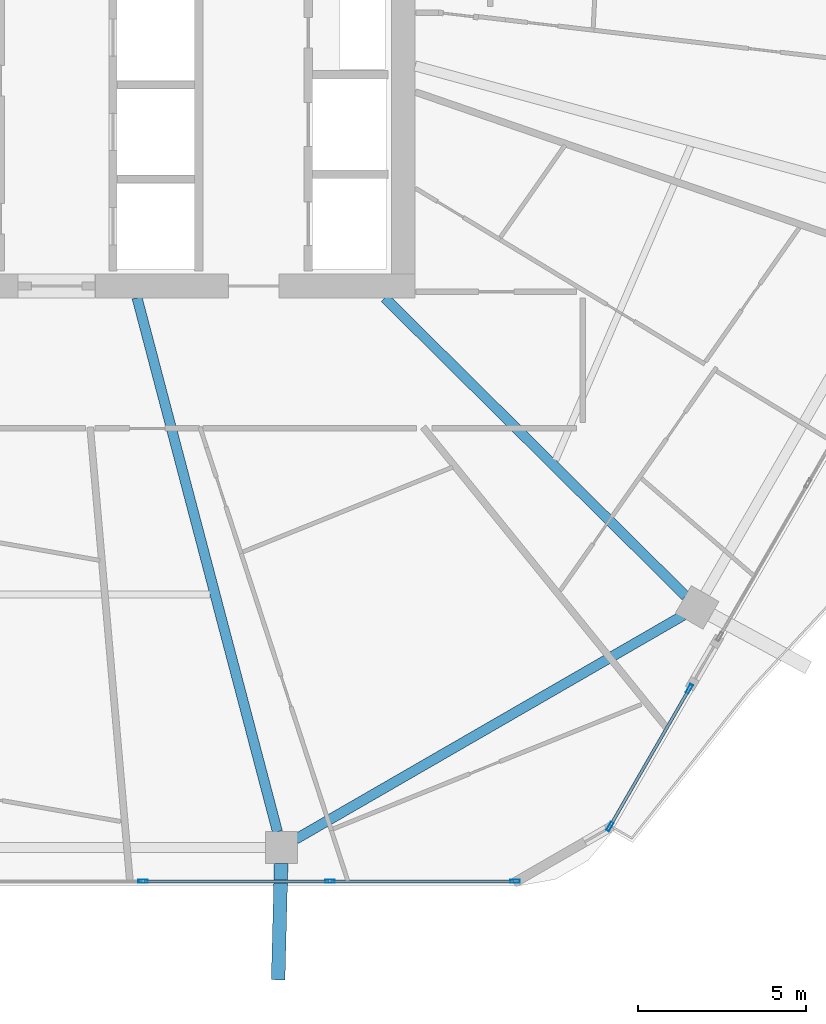
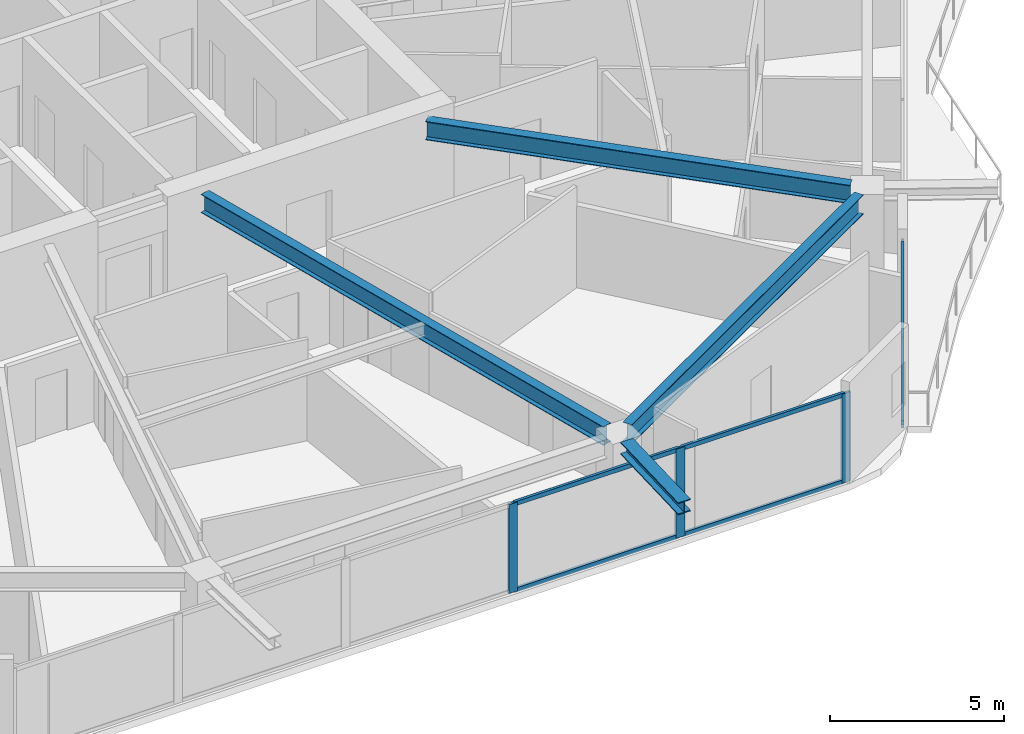
# One storey, part 7 of 26: 11 members, 4 beams, 2 elements without a shape of their own.
"""IFC4 building model written with IfcOpenShell, lengths in metres."""

from ifc_helpers import new_model, si_unit, direction, frame, origin, origin_2d, place, context, subcontext, project, spatial, hollow_rectangle, i_section, extrude, material, material_profile, profile_set, type_object, element, aggregate, save


model = new_model("IFC4")

# Units and contexts
model_context = context("Model", 3, precision=1e-05, world=origin(), true_north=direction((0.0, 1.0)))
body_context = subcontext(model_context, "Body", "Model", "MODEL_VIEW")
ifc_project = project(units=[si_unit("LENGTHUNIT", "METRE"), si_unit("AREAUNIT", "SQUARE_METRE"), si_unit("VOLUMEUNIT", "CUBIC_METRE"), si_unit("PLANEANGLEUNIT", "RADIAN"), si_unit("MASSUNIT", "GRAM", prefix="KILO")], contexts=[model_context])

# Site, building, storey
site_placement = place(None, origin())
site = spatial("IfcSite", under=ifc_project, at=site_placement, CompositionType="ELEMENT")
building_placement = place(site_placement, origin())
building = spatial("IfcBuilding", under=site, at=building_placement, Name="Zuhravey Tower", CompositionType="ELEMENT")
storey_placement = place(building_placement, frame((0.0, 0.0, 211.199951171875)))
storey = spatial("IfcBuildingStorey", under=building, at=storey_placement, Name="L53", CompositionType="ELEMENT", Elevation=211.199951171875)

# Curtain wall, members
ifc_material_1 = material(Name="Thermally broken anodised aluminium", Category="aluminium")
curtain_wall_type = type_object("IfcCurtainWallType", Name="Zone 1-2 Residential Curtain Wall CW3", PredefinedType="NOTDEFINED", material=ifc_material_1)
curtain_wall_1_placement = place(storey_placement, origin())
curtain_wall_1 = element("IfcCurtainWall", 1, at=curtain_wall_1_placement, inside=storey, type_object=curtain_wall_type, Name="L53 CW3 CW-L53-F6-2", PredefinedType="NOTDEFINED")
ifc_material_2 = material(Name="Anodised aluminium", Category="aluminium")
ifc_material_profile_1 = material_profile(ifc_material_2, hollow_rectangle(XDim=0.090087890625, YDim=0.284912109375, WallThickness=0.0048828125, at=origin_2d()), Name="ALU-RHS-90x285x5")
ifc_profile_set_1 = profile_set([ifc_material_profile_1], Name="Anodised aluminium")
member_type_1 = type_object("IfcMemberType", Name="Curtain-Wall Mullion 90x180", PredefinedType="MULLION", material=ifc_profile_set_1)
member_1_placement = place(storey_placement, frame((54.996337890625, 10.53662109375, 0.0), z_axis=(0.0, 0.0, 1.0), x_axis=(0.866029309386, -0.499993235239, 0.0)))
member_1 = element("IfcMember", 2, at=member_1_placement, type_object=member_type_1, Name="CW3 mullion 1", PredefinedType="MULLION", context=body_context, shape_type="SweptSolid", body=[
    extrude(hollow_rectangle(XDim=0.090087890625, YDim=0.284912109375, WallThickness=0.0048828125, at=origin_2d()), origin(), (0.0, 0.0, 1.0), 3.1220703125),
])
member_2_placement = place(storey_placement, frame((52.63330078125, 6.443359375, 0.0), z_axis=(0.0, 0.0, 1.0), x_axis=(0.866029309386, -0.499993235239, 0.0)))
member_2 = element("IfcMember", 3, at=member_2_placement, type_object=member_type_1, Name="CW3 mullion 2", PredefinedType="MULLION", context=body_context, shape_type="SweptSolid", body=[
    extrude(hollow_rectangle(XDim=0.090087890625, YDim=0.284912109375, WallThickness=0.0048828125, at=origin_2d()), origin(), (0.0, 0.0, 1.0), 3.1220703125),
])

curtain_wall_2_placement = place(storey_placement, origin())
curtain_wall_2 = element("IfcCurtainWall", 4, at=curtain_wall_2_placement, inside=storey, type_object=curtain_wall_type, Name="L53 CW3 CW-L53-F5-1", PredefinedType="NOTDEFINED")
member_3_placement = place(storey_placement, frame((49.816162109375, 4.81689453125, 0.0), z_axis=(0.0, 0.0, 1.0), x_axis=(0.0, -1.0, 0.0)))
member_3 = element("IfcMember", 5, at=member_3_placement, type_object=member_type_1, Name="CW3 mullion 1", PredefinedType="MULLION", context=body_context, shape_type="SweptSolid", body=[
    extrude(hollow_rectangle(XDim=0.090087890625, YDim=0.284912109375, WallThickness=0.0048828125, at=origin_2d()), origin(), (0.0, 0.0, 1.0), 3.1220703125),
])
member_4_placement = place(storey_placement, frame((44.316650390625, 4.81689453125, 0.0), z_axis=(0.0, 0.0, 1.0), x_axis=(0.0, -1.0, 0.0)))
member_4 = element("IfcMember", 6, at=member_4_placement, type_object=member_type_1, Name="CW3 mullion 2", PredefinedType="MULLION", context=body_context, shape_type="SweptSolid", body=[
    extrude(hollow_rectangle(XDim=0.090087890625, YDim=0.284912109375, WallThickness=0.0048828125, at=origin_2d()), origin(), (0.0, 0.0, 1.0), 3.1220703125),
])
member_5_placement = place(storey_placement, frame((38.772216796875, 4.81689453125, 0.0), z_axis=(0.0, 0.0, 1.0), x_axis=(0.0, -1.0, 0.0)))
member_5 = element("IfcMember", 7, at=member_5_placement, type_object=member_type_1, Name="CW3 mullion 3", PredefinedType="MULLION", context=body_context, shape_type="SweptSolid", body=[
    extrude(hollow_rectangle(XDim=0.090087890625, YDim=0.284912109375, WallThickness=0.0048828125, at=origin_2d()), origin(), (0.0, 0.0, 1.0), 3.1220703125),
])

# Member
ifc_material_profile_2 = material_profile(ifc_material_2, hollow_rectangle(XDim=0.090087890625, YDim=0.14990234375, WallThickness=0.0048828125, at=origin_2d()), Name="ALU-RHS-90x150x5")
ifc_profile_set_2 = profile_set([ifc_material_profile_2], Name="Anodised aluminium")
member_type_2 = type_object("IfcMemberType", Name="Curtain-Wall Transom 90x150", PredefinedType="USERDEFINED", material=ifc_profile_set_2)
member_6_placement = place(storey_placement, frame((54.973876953125, 10.49755859375, 0.045166015625), z_axis=(-0.499995950774, -0.866027741594, 0.0), x_axis=(0.866027741594, -0.499995950774, 0.0)))
member_6 = element("IfcMember", 8, at=member_6_placement, type_object=member_type_2, Name="CW3 transom 1.1", ObjectType="TRANSOM", PredefinedType="USERDEFINED", context=body_context, shape_type="SweptSolid", body=[
    extrude(hollow_rectangle(XDim=0.090087890625, YDim=0.14990234375, WallThickness=0.0048828125, at=origin_2d()), origin(), (0.0, 0.0, 1.0), 4.63623046875),
])

member_7_placement = place(storey_placement, frame((54.973876953125, 10.49755859375, 3.0771484375), z_axis=(-0.499995950774, -0.866027741594, 0.0), x_axis=(0.866027741594, -0.499995950774, 0.0)))
member_7 = element("IfcMember", 9, at=member_7_placement, type_object=member_type_2, Name="CW3 transom 1.2", ObjectType="TRANSOM", PredefinedType="USERDEFINED", context=body_context, shape_type="SweptSolid", body=[
    extrude(hollow_rectangle(XDim=0.090087890625, YDim=0.14990234375, WallThickness=0.0048828125, at=origin_2d()), origin(), (0.0, 0.0, 1.0), 4.63623046875),
])

aggregate(curtain_wall_1, [member_1, member_2, member_6, member_7])

member_8_placement = place(storey_placement, frame((49.77099609375, 4.81689453125, 0.045166015625), z_axis=(-1.0, 0.0, 0.0), x_axis=(0.0, -1.0, 0.0)))
member_8 = element("IfcMember", 10, at=member_8_placement, type_object=member_type_2, Name="CW3 transom 1.1", ObjectType="TRANSOM", PredefinedType="USERDEFINED", context=body_context, shape_type="SweptSolid", body=[
    extrude(hollow_rectangle(XDim=0.090087890625, YDim=0.14990234375, WallThickness=0.0048828125, at=origin_2d()), origin(), (0.0, 0.0, 1.0), 5.409423828125),
])

member_9_placement = place(storey_placement, frame((49.77099609375, 4.81689453125, 3.0771484375), z_axis=(-1.0, 0.0, 0.0), x_axis=(0.0, -1.0, 0.0)))
member_9 = element("IfcMember", 11, at=member_9_placement, type_object=member_type_2, Name="CW3 transom 1.2", ObjectType="TRANSOM", PredefinedType="USERDEFINED", context=body_context, shape_type="SweptSolid", body=[
    extrude(hollow_rectangle(XDim=0.090087890625, YDim=0.14990234375, WallThickness=0.0048828125, at=origin_2d()), origin(), (0.0, 0.0, 1.0), 5.409423828125),
])

member_10_placement = place(storey_placement, frame((44.271728515625, 4.81689453125, 0.045166015625), z_axis=(-1.0, 0.0, 0.0), x_axis=(0.0, -1.0, 0.0)))
member_10 = element("IfcMember", 12, at=member_10_placement, type_object=member_type_2, Name="CW3 transom 2.1", ObjectType="TRANSOM", PredefinedType="USERDEFINED", context=body_context, shape_type="SweptSolid", body=[
    extrude(hollow_rectangle(XDim=0.090087890625, YDim=0.14990234375, WallThickness=0.0048828125, at=origin_2d()), origin(), (0.0, 0.0, 1.0), 5.45458984375),
])

member_11_placement = place(storey_placement, frame((44.271728515625, 4.81689453125, 3.0771484375), z_axis=(-1.0, 0.0, 0.0), x_axis=(0.0, -1.0, 0.0)))
member_11 = element("IfcMember", 13, at=member_11_placement, type_object=member_type_2, Name="CW3 transom 2.2", ObjectType="TRANSOM", PredefinedType="USERDEFINED", context=body_context, shape_type="SweptSolid", body=[
    extrude(hollow_rectangle(XDim=0.090087890625, YDim=0.14990234375, WallThickness=0.0048828125, at=origin_2d()), origin(), (0.0, 0.0, 1.0), 5.45458984375),
])

aggregate(curtain_wall_2, [member_3, member_4, member_5, member_8, member_9, member_10, member_11])

# Beams
ifc_material_3 = material(Name="Steel SM460", Category="steel")
ifc_material_profile_3 = material_profile(ifc_material_3, i_section(OverallWidth=0.406982421875, OverallDepth=0.427978515625, WebThickness=0.02001953125, FlangeThickness=0.034912109375, at=origin_2d()), Name="H-428x407x20x35")
ifc_profile_set_3 = profile_set([ifc_material_profile_3], Name="Steel SM460")
beam_type_1 = type_object("IfcBeamType", Name="Exoskeleton Node Tie Beam H428x407", PredefinedType="BEAM", material=ifc_profile_set_3)
beam_1_placement = place(storey_placement, frame((42.86962890625, 5.347900390625, 3.3359375), z_axis=(-0.02549326595, -0.999674993881, 0.0), x_axis=(0.999674993881, -0.02549326595, 0.0)))
element("IfcBeam", 14, at=beam_1_placement, inside=storey, type_object=beam_type_1, Name="L53 Exoskeleton Node Tie NT1-10", PredefinedType="BEAM", context=body_context, shape_type="SweptSolid", body=[
    extrude(i_section(OverallWidth=0.406982421875, OverallDepth=0.427978515625, WebThickness=0.02001953125, FlangeThickness=0.034912109375, at=origin_2d()), origin(), (0.0, 0.0, 1.0), 3.457275390625),
])
ifc_material_4 = material(Name="Steel SM355", Category="steel")
ifc_material_profile_4 = material_profile(ifc_material_4, i_section(OverallWidth=0.300048828125, OverallDepth=0.679931640625, WebThickness=0.012939453125, FlangeThickness=0.02197265625, at=origin_2d()), Name="H-680x300x13x22")
ifc_profile_set_4 = profile_set([ifc_material_profile_4], Name="Steel SM355")
beam_type_2 = type_object("IfcBeamType", Name="Perimeter Ring Beam H680x300", PredefinedType="BEAM", material=ifc_profile_set_4)
beam_2_placement = place(storey_placement, frame((43.2958984375, 6.06591796875, 3.2099609375), z_axis=(0.866029041019, 0.499993700073, 0.0), x_axis=(-0.499993700073, 0.866029041019, 0.0)))
element("IfcBeam", 15, at=beam_2_placement, inside=storey, type_object=beam_type_2, Name="L53 PB2 BM-L53-PB-10", PredefinedType="BEAM", context=body_context, shape_type="SweptSolid", body=[
    extrude(i_section(OverallWidth=0.300048828125, OverallDepth=0.679931640625, WebThickness=0.012939453125, FlangeThickness=0.02197265625, at=origin_2d()), origin(), (0.0, 0.0, 1.0), 13.297119140625),
])
ifc_material_profile_5 = material_profile(ifc_material_4, i_section(OverallWidth=0.300048828125, OverallDepth=0.64990234375, WebThickness=0.012939453125, FlangeThickness=0.02197265625, at=origin_2d()), Name="H-650x300x13x22")
ifc_profile_set_5 = profile_set([ifc_material_profile_5], Name="Steel SM355")
beam_type_3 = type_object("IfcBeamType", Name="Radial Primary Girder H650x300", PredefinedType="BEAM", material=ifc_profile_set_5)
beam_3_placement = place(storey_placement, frame((38.5908203125, 22.14697265625, 3.22509765625), z_axis=(0.254299806285, -0.967125435775, 0.0), x_axis=(0.967125435775, 0.254299806285, 0.0)))
element("IfcBeam", 16, at=beam_3_placement, inside=storey, type_object=beam_type_3, Name="L53 RG2 BM-L53-RAD-10", PredefinedType="BEAM", context=body_context, shape_type="SweptSolid", body=[
    extrude(i_section(OverallWidth=0.300048828125, OverallDepth=0.64990234375, WebThickness=0.012939453125, FlangeThickness=0.02197265625, at=origin_2d()), origin(), (0.0, 0.0, 1.0), 16.396728515625),
])
beam_4_placement = place(storey_placement, frame((45.945556640625, 22.14697265625, 3.22509765625), z_axis=(0.710406645816, -0.703791444663, 0.0), x_axis=(0.703791444663, 0.710406645816, 0.0)))
element("IfcBeam", 17, at=beam_4_placement, inside=storey, type_object=beam_type_3, Name="L53 RG2 BM-L53-RAD-11", PredefinedType="BEAM", context=body_context, shape_type="SweptSolid", body=[
    extrude(i_section(OverallWidth=0.300048828125, OverallDepth=0.64990234375, WebThickness=0.012939453125, FlangeThickness=0.02197265625, at=origin_2d()), origin(), (0.0, 0.0, 1.0), 12.5849609375),
])

save(model, "model.ifc")
